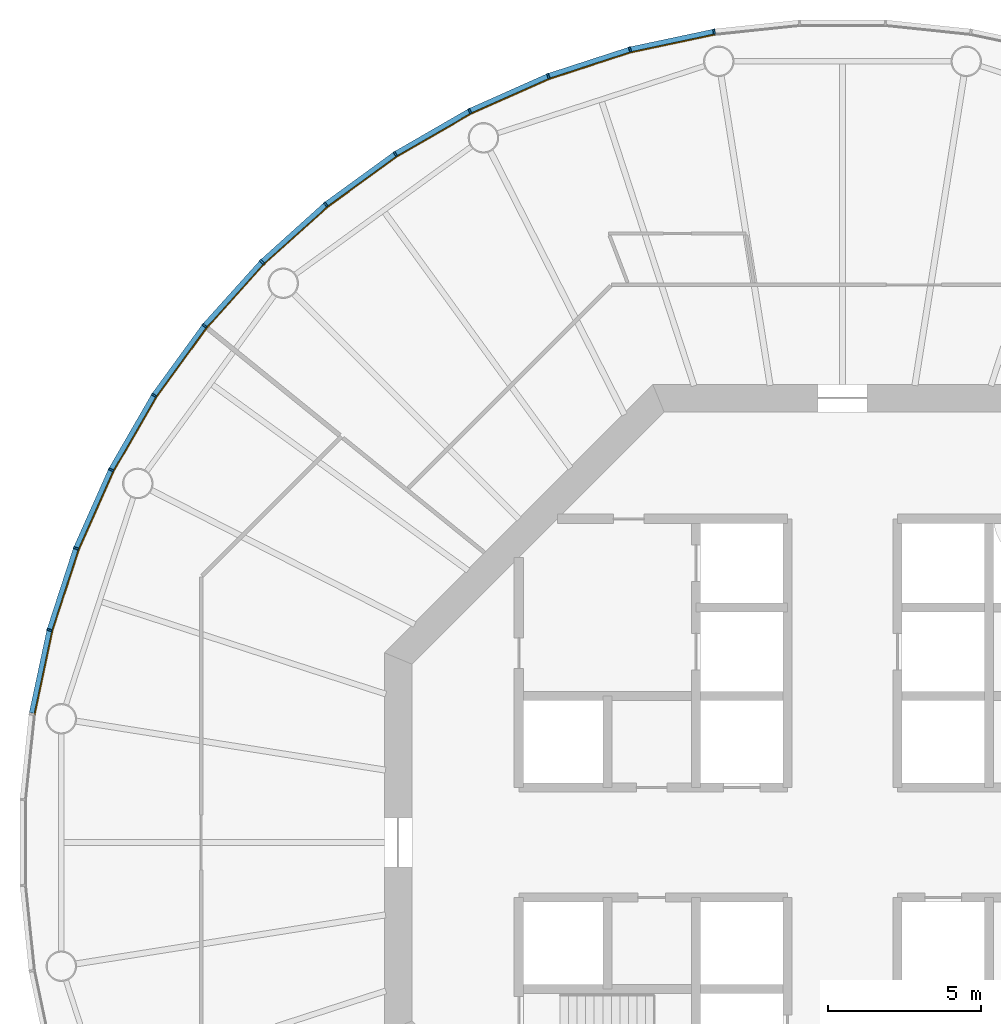
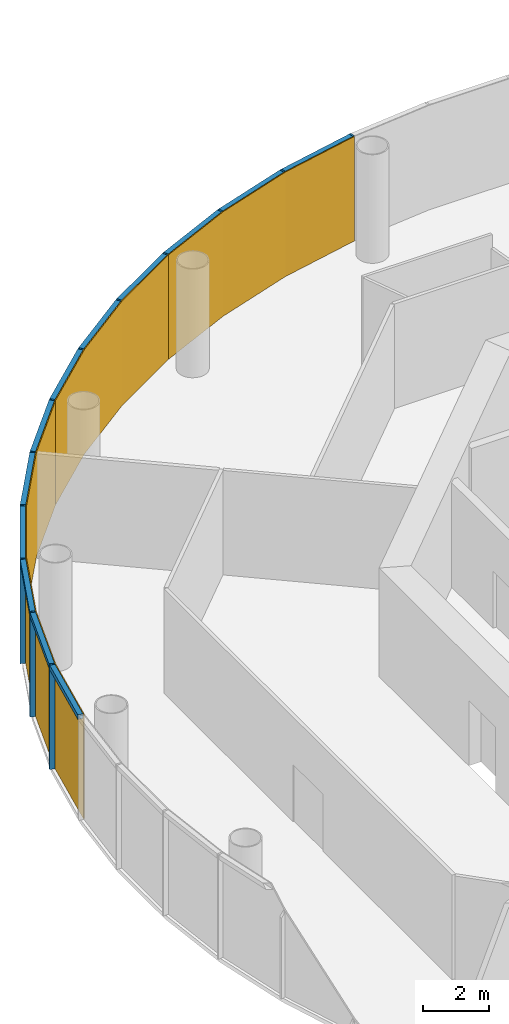
# One storey, part 9 of 12: 24 members, 4 curtain walls.
"""IFC4 building model written with IfcOpenShell, lengths in metres."""

from ifc_helpers import new_model, si_unit, direction, frame, origin, origin_2d, place, context, subcontext, project, spatial, polyline, rectangle, outline, extrude, material, layer, layer_set, material_profile, profile_set, type_object, element, aggregate, save


model = new_model("IFC4")

# Units and contexts
model_context = context("Model", 3, precision=1e-05, world=origin(), true_north=direction((0.0, 1.0)))
body_context = subcontext(model_context, "Body", "Model", "MODEL_VIEW")
ifc_project = project(units=[si_unit("LENGTHUNIT", "METRE"), si_unit("AREAUNIT", "SQUARE_METRE"), si_unit("VOLUMEUNIT", "CUBIC_METRE"), si_unit("PLANEANGLEUNIT", "RADIAN"), si_unit("MASSUNIT", "GRAM", prefix="KILO")], contexts=[model_context])

# Member
ifc_material_1 = material(Name="Anodised aluminium", Category="aluminium")
ifc_material_profile_1 = material_profile(ifc_material_1, rectangle(XDim=0.06005859375, YDim=0.169921875, at=origin_2d()), Name="Mullion 60 x 170 mm anodised aluminium")
ifc_profile_set_1 = profile_set([ifc_material_profile_1], Name="Anodised aluminium")
member_type_1 = type_object("IfcMemberType", Name="Mullion 60 x 170 mm anodised aluminium", PredefinedType="MULLION", material=ifc_profile_set_1)
site_placement = place(None, origin())
building_placement = place(site_placement, origin())
storey_placement = place(building_placement, frame((0.0, 0.0, 254.0)))
member_1_placement = place(storey_placement, frame((85.794189453125, 106.553955078125, 0.0), z_axis=(0.0, 0.0, 1.0), x_axis=(-0.987688340595, -0.15643446504, 0.0)))
member_1 = element("IfcMember", 1, at=member_1_placement, type_object=member_type_1, Name="MULLION L58-15", PredefinedType="MULLION", context=body_context, shape_type="SweptSolid", body=[
    extrude(rectangle(XDim=0.06005859375, YDim=0.169921875, at=origin_2d()), origin(), (0.0, 0.0, 1.0), 3.85009765625),
])

member_2_placement = place(storey_placement, frame((83.041748046875, 105.968994140625, 0.0), z_axis=(0.0, 0.0, 1.0), x_axis=(-0.965925826289, -0.258819045103, 0.0)))
member_2 = element("IfcMember", 2, at=member_2_placement, type_object=member_type_1, Name="MULLION L58-16", PredefinedType="MULLION", context=body_context, shape_type="SweptSolid", body=[
    extrude(rectangle(XDim=0.06005859375, YDim=0.169921875, at=origin_2d()), origin(), (0.0, 0.0, 1.0), 3.85009765625),
])

member_3_placement = place(storey_placement, frame((80.365234375, 105.099365234375, 0.0), z_axis=(0.0, 0.0, 1.0), x_axis=(-0.933580426497, -0.358367949545, 0.0)))
member_3 = element("IfcMember", 3, at=member_3_placement, type_object=member_type_1, Name="MULLION L58-17", PredefinedType="MULLION", context=body_context, shape_type="SweptSolid", body=[
    extrude(rectangle(XDim=0.06005859375, YDim=0.169921875, at=origin_2d()), origin(), (0.0, 0.0, 1.0), 3.85009765625),
])

member_4_placement = place(storey_placement, frame((77.79443359375, 103.95458984375, 0.0), z_axis=(0.0, 0.0, 1.0), x_axis=(-0.891006524188, -0.45399049974, 0.0)))
member_4 = element("IfcMember", 4, at=member_4_placement, type_object=member_type_1, Name="MULLION L58-18", PredefinedType="MULLION", context=body_context, shape_type="SweptSolid", body=[
    extrude(rectangle(XDim=0.06005859375, YDim=0.169921875, at=origin_2d()), origin(), (0.0, 0.0, 1.0), 3.85009765625),
])

member_5_placement = place(storey_placement, frame((75.357421875, 102.547607421875, 0.0), z_axis=(0.0, 0.0, 1.0), x_axis=(-0.838670567945, -0.544639035015, 0.0)))
member_5 = element("IfcMember", 5, at=member_5_placement, type_object=member_type_1, Name="MULLION L58-19", PredefinedType="MULLION", context=body_context, shape_type="SweptSolid", body=[
    extrude(rectangle(XDim=0.06005859375, YDim=0.169921875, at=origin_2d()), origin(), (0.0, 0.0, 1.0), 3.85009765625),
])

member_6_placement = place(storey_placement, frame((73.080810546875, 100.8935546875, 0.0), z_axis=(0.0, 0.0, 1.0), x_axis=(-0.777145961457, -0.62932039105, 0.0)))
member_6 = element("IfcMember", 6, at=member_6_placement, type_object=member_type_1, Name="MULLION L58-20", PredefinedType="MULLION", context=body_context, shape_type="SweptSolid", body=[
    extrude(rectangle(XDim=0.06005859375, YDim=0.169921875, at=origin_2d()), origin(), (0.0, 0.0, 1.0), 3.85009765625),
])

member_7_placement = place(storey_placement, frame((70.989501953125, 99.010498046875, 0.0), z_axis=(0.0, 0.0, 1.0), x_axis=(-0.707106781187, -0.707106781187, 0.0)))
member_7 = element("IfcMember", 7, at=member_7_placement, type_object=member_type_1, Name="MULLION L58-21", PredefinedType="MULLION", context=body_context, shape_type="SweptSolid", body=[
    extrude(rectangle(XDim=0.06005859375, YDim=0.169921875, at=origin_2d()), origin(), (0.0, 0.0, 1.0), 3.85009765625),
])

member_8_placement = place(storey_placement, frame((69.1064453125, 96.919189453125, 0.0), z_axis=(0.0, 0.0, 1.0), x_axis=(-0.62932039105, -0.777145961457, 0.0)))
member_8 = element("IfcMember", 8, at=member_8_placement, type_object=member_type_1, Name="MULLION L58-22", PredefinedType="MULLION", context=body_context, shape_type="SweptSolid", body=[
    extrude(rectangle(XDim=0.06005859375, YDim=0.169921875, at=origin_2d()), origin(), (0.0, 0.0, 1.0), 3.85009765625),
])

member_9_placement = place(storey_placement, frame((67.452392578125, 94.642578125, 0.0), z_axis=(0.0, 0.0, 1.0), x_axis=(-0.544639035015, -0.838670567945, 0.0)))
member_9 = element("IfcMember", 9, at=member_9_placement, type_object=member_type_1, Name="MULLION L58-23", PredefinedType="MULLION", context=body_context, shape_type="SweptSolid", body=[
    extrude(rectangle(XDim=0.06005859375, YDim=0.169921875, at=origin_2d()), origin(), (0.0, 0.0, 1.0), 3.85009765625),
])

member_10_placement = place(storey_placement, frame((66.04541015625, 92.20556640625, 0.0), z_axis=(0.0, 0.0, 1.0), x_axis=(-0.45399049974, -0.891006524188, 0.0)))
member_10 = element("IfcMember", 10, at=member_10_placement, type_object=member_type_1, Name="MULLION L58-24", PredefinedType="MULLION", context=body_context, shape_type="SweptSolid", body=[
    extrude(rectangle(XDim=0.06005859375, YDim=0.169921875, at=origin_2d()), origin(), (0.0, 0.0, 1.0), 3.85009765625),
])

member_11_placement = place(storey_placement, frame((64.900634765625, 89.634765625, 0.0), z_axis=(0.0, 0.0, 1.0), x_axis=(-0.358367949545, -0.933580426497, 0.0)))
member_11 = element("IfcMember", 11, at=member_11_placement, type_object=member_type_1, Name="MULLION L58-25", PredefinedType="MULLION", context=body_context, shape_type="SweptSolid", body=[
    extrude(rectangle(XDim=0.06005859375, YDim=0.169921875, at=origin_2d()), origin(), (0.0, 0.0, 1.0), 3.85009765625),
])

member_12_placement = place(storey_placement, frame((64.031005859375, 86.958251953125, 0.0), z_axis=(0.0, 0.0, 1.0), x_axis=(-0.258819045103, -0.965925826289, 0.0)))
member_12 = element("IfcMember", 12, at=member_12_placement, type_object=member_type_1, Name="MULLION L58-26", PredefinedType="MULLION", context=body_context, shape_type="SweptSolid", body=[
    extrude(rectangle(XDim=0.06005859375, YDim=0.169921875, at=origin_2d()), origin(), (0.0, 0.0, 1.0), 3.85009765625),
])

ifc_material_2 = material(Name="Anodised aluminium", Category="aluminium")
ifc_material_profile_2 = material_profile(ifc_material_2, rectangle(XDim=0.169921875, YDim=0.1650390625, at=origin_2d()), Name="Transom 165 x 170 mm anodised aluminium")
ifc_profile_set_2 = profile_set([ifc_material_profile_2], Name="Anodised aluminium")
member_type_2 = type_object("IfcMemberType", Name="Transom 165 x 170 mm anodised aluminium", PredefinedType="USERDEFINED", material=ifc_profile_set_2)
member_13_placement = place(storey_placement, frame((85.760498046875, 106.546875, 3.767578125), z_axis=(-0.97814212115, -0.207937468562, 0.0), x_axis=(0.207937468562, -0.97814212115, 0.0)))
member_13 = element("IfcMember", 13, at=member_13_placement, type_object=member_type_2, Name="TRANSOM L58-15", ObjectType="TRANSOM", PredefinedType="USERDEFINED", context=body_context, shape_type="SweptSolid", body=[
    extrude(rectangle(XDim=0.169921875, YDim=0.1650390625, at=origin_2d()), origin(), (0.0, 0.0, 1.0), 2.7451171875),
])

member_14_placement = place(storey_placement, frame((83.0087890625, 105.95849609375, 3.767578125), z_axis=(-0.951048445774, -0.309041831781, 0.0), x_axis=(0.309041831781, -0.951048445774, 0.0)))
member_14 = element("IfcMember", 14, at=member_14_placement, type_object=member_type_2, Name="TRANSOM L58-16", ObjectType="TRANSOM", PredefinedType="USERDEFINED", context=body_context, shape_type="SweptSolid", body=[
    extrude(rectangle(XDim=0.169921875, YDim=0.1650390625, at=origin_2d()), origin(), (0.0, 0.0, 1.0), 2.7451171875),
])

member_15_placement = place(storey_placement, frame((80.333740234375, 105.08544921875, 3.767578125), z_axis=(-0.913525267704, -0.406781987391, 0.0), x_axis=(0.406781987391, -0.913525267704, 0.0)))
member_15 = element("IfcMember", 15, at=member_15_placement, type_object=member_type_2, Name="TRANSOM L58-17", ObjectType="TRANSOM", PredefinedType="USERDEFINED", context=body_context, shape_type="SweptSolid", body=[
    extrude(rectangle(XDim=0.169921875, YDim=0.1650390625, at=origin_2d()), origin(), (0.0, 0.0, 1.0), 2.7451171875),
])

member_16_placement = place(storey_placement, frame((77.7646484375, 103.9375, 3.767578125), z_axis=(-0.866034527326, -0.49998419723, 0.0), x_axis=(0.49998419723, -0.866034527326, 0.0)))
member_16 = element("IfcMember", 16, at=member_16_placement, type_object=member_type_2, Name="TRANSOM L58-18", ObjectType="TRANSOM", PredefinedType="USERDEFINED", context=body_context, shape_type="SweptSolid", body=[
    extrude(rectangle(XDim=0.169921875, YDim=0.1650390625, at=origin_2d()), origin(), (0.0, 0.0, 1.0), 2.7451171875),
])

member_17_placement = place(storey_placement, frame((75.329345703125, 102.527587890625, 3.767578125), z_axis=(-0.808959086484, -0.587864947412, 0.0), x_axis=(0.587864947412, -0.808959086484, 0.0)))
member_17 = element("IfcMember", 17, at=member_17_placement, type_object=member_type_2, Name="TRANSOM L58-19", ObjectType="TRANSOM", PredefinedType="USERDEFINED", context=body_context, shape_type="SweptSolid", body=[
    extrude(rectangle(XDim=0.169921875, YDim=0.1650390625, at=origin_2d()), origin(), (0.0, 0.0, 1.0), 2.7451171875),
])

member_18_placement = place(storey_placement, frame((73.054931640625, 100.87060546875, 3.767578125), z_axis=(-0.743134927907, -0.669141598561, 0.0), x_axis=(0.669141598561, -0.743134927907, 0.0)))
member_18 = element("IfcMember", 18, at=member_18_placement, type_object=member_type_2, Name="TRANSOM L58-20", ObjectType="TRANSOM", PredefinedType="USERDEFINED", context=body_context, shape_type="SweptSolid", body=[
    extrude(rectangle(XDim=0.169921875, YDim=0.1650390625, at=origin_2d()), origin(), (0.0, 0.0, 1.0), 2.7451171875),
])

member_19_placement = place(storey_placement, frame((70.96630859375, 98.985107421875, 3.767578125), z_axis=(-0.669141598561, -0.743134927907, 0.0), x_axis=(0.743134927907, -0.669141598561, 0.0)))
member_19 = element("IfcMember", 19, at=member_19_placement, type_object=member_type_2, Name="TRANSOM L58-21", ObjectType="TRANSOM", PredefinedType="USERDEFINED", context=body_context, shape_type="SweptSolid", body=[
    extrude(rectangle(XDim=0.169921875, YDim=0.1650390625, at=origin_2d()), origin(), (0.0, 0.0, 1.0), 2.7451171875),
])

member_20_placement = place(storey_placement, frame((69.086181640625, 96.891357421875, 3.767578125), z_axis=(-0.587864947412, -0.808959086484, 0.0), x_axis=(0.808959086484, -0.587864947412, 0.0)))
member_20 = element("IfcMember", 20, at=member_20_placement, type_object=member_type_2, Name="TRANSOM L58-22", ObjectType="TRANSOM", PredefinedType="USERDEFINED", context=body_context, shape_type="SweptSolid", body=[
    extrude(rectangle(XDim=0.169921875, YDim=0.1650390625, at=origin_2d()), origin(), (0.0, 0.0, 1.0), 2.7451171875),
])

member_21_placement = place(storey_placement, frame((67.43505859375, 94.61279296875, 3.767578125), z_axis=(-0.49998419723, -0.866034527326, 0.0), x_axis=(0.866034527326, -0.49998419723, 0.0)))
member_21 = element("IfcMember", 21, at=member_21_placement, type_object=member_type_2, Name="TRANSOM L58-23", ObjectType="TRANSOM", PredefinedType="USERDEFINED", context=body_context, shape_type="SweptSolid", body=[
    extrude(rectangle(XDim=0.169921875, YDim=0.1650390625, at=origin_2d()), origin(), (0.0, 0.0, 1.0), 2.7451171875),
])

member_22_placement = place(storey_placement, frame((66.03125, 92.174072265625, 3.767578125), z_axis=(-0.406781987391, -0.913525267704, 0.0), x_axis=(0.913525267704, -0.406781987391, 0.0)))
member_22 = element("IfcMember", 22, at=member_22_placement, type_object=member_type_2, Name="TRANSOM L58-24", ObjectType="TRANSOM", PredefinedType="USERDEFINED", context=body_context, shape_type="SweptSolid", body=[
    extrude(rectangle(XDim=0.169921875, YDim=0.1650390625, at=origin_2d()), origin(), (0.0, 0.0, 1.0), 2.7451171875),
])

member_23_placement = place(storey_placement, frame((64.889892578125, 89.60205078125, 3.767578125), z_axis=(-0.309041831781, -0.951048445774, 0.0), x_axis=(0.951048445774, -0.309041831781, 0.0)))
member_23 = element("IfcMember", 23, at=member_23_placement, type_object=member_type_2, Name="TRANSOM L58-25", ObjectType="TRANSOM", PredefinedType="USERDEFINED", context=body_context, shape_type="SweptSolid", body=[
    extrude(rectangle(XDim=0.169921875, YDim=0.1650390625, at=origin_2d()), origin(), (0.0, 0.0, 1.0), 2.7451171875),
])

member_24_placement = place(storey_placement, frame((64.02392578125, 86.924560546875, 3.767578125), z_axis=(-0.207937468562, -0.97814212115, 0.0), x_axis=(0.97814212115, -0.207937468562, 0.0)))
member_24 = element("IfcMember", 24, at=member_24_placement, type_object=member_type_2, Name="TRANSOM L58-26", ObjectType="TRANSOM", PredefinedType="USERDEFINED", context=body_context, shape_type="SweptSolid", body=[
    extrude(rectangle(XDim=0.169921875, YDim=0.1650390625, at=origin_2d()), origin(), (0.0, 0.0, 1.0), 2.7451171875),
])

# Site, building, storey
site = spatial("IfcSite", under=ifc_project, at=site_placement, CompositionType="ELEMENT")
building = spatial("IfcBuilding", under=site, at=building_placement, Name="Entoto Ring Tower", CompositionType="ELEMENT")
storey = spatial("IfcBuildingStorey", under=building, at=storey_placement, Name="L58", CompositionType="ELEMENT", Elevation=254.0)

# Curtain wall
ifc_material_3 = material(Name="Clear low-iron glass", Category="glass")
ifc_layer = layer(ifc_material_3, 0.031982421875)
ifc_layer_set = layer_set([ifc_layer], Name="Clear low-iron glass")
curtain_wall_type = type_object("IfcCurtainWallType", Name="Curtain wall system CW4 glazing 32 mm", PredefinedType="NOTDEFINED", material=ifc_layer_set)
curtain_wall_1_placement = place(storey_placement, origin())
curtain_wall_1 = element("IfcCurtainWall", 25, at=curtain_wall_1_placement, inside=storey, type_object=curtain_wall_type, Name="CW4 L58-06", PredefinedType="NOTDEFINED", context=body_context, shape_type="SweptSolid", body=[
    extrude(outline(polyline([(85.8076171875, 106.469970703125), (83.063720703125, 105.88671875), (80.395751953125, 105.02001953125), (77.8330078125, 103.87890625), (77.84765625, 103.850341796875), (80.4072265625, 104.989990234375), (83.072021484375, 105.85595703125), (85.8125, 106.4384765625), (85.8076171875, 106.469970703125)])), origin(), (0.0, 0.0, 1.0), 3.85009765625),
])

aggregate(curtain_wall_1, [member_1, member_2, member_3, member_13, member_14, member_15])

curtain_wall_2_placement = place(storey_placement, origin())
curtain_wall_2 = element("IfcCurtainWall", 26, at=curtain_wall_2_placement, inside=storey, type_object=curtain_wall_type, Name="CW4 L58-07", PredefinedType="NOTDEFINED", context=body_context, shape_type="SweptSolid", body=[
    extrude(outline(polyline([(77.8330078125, 103.87890625), (75.403564453125, 102.476318359375), (73.13427734375, 100.827392578125), (71.049560546875, 98.950439453125), (71.072265625, 98.927734375), (73.154296875, 100.802490234375), (75.421142578125, 102.449462890625), (77.84765625, 103.850341796875), (77.8330078125, 103.87890625)])), origin(), (0.0, 0.0, 1.0), 3.85009765625),
])

aggregate(curtain_wall_2, [member_4, member_5, member_6, member_16, member_17, member_18])

curtain_wall_3_placement = place(storey_placement, origin())
curtain_wall_3 = element("IfcCurtainWall", 27, at=curtain_wall_3_placement, inside=storey, type_object=curtain_wall_type, Name="CW4 L58-08", PredefinedType="NOTDEFINED", context=body_context, shape_type="SweptSolid", body=[
    extrude(outline(polyline([(71.049560546875, 98.950439453125), (69.172607421875, 96.86572265625), (67.523681640625, 94.596435546875), (66.12109375, 92.1669921875), (66.149658203125, 92.15234375), (67.550537109375, 94.578857421875), (69.197509765625, 96.845703125), (71.072265625, 98.927734375), (71.049560546875, 98.950439453125)])), origin(), (0.0, 0.0, 1.0), 3.85009765625),
])

aggregate(curtain_wall_3, [member_7, member_8, member_9, member_19, member_20, member_21])

curtain_wall_4_placement = place(storey_placement, origin())
curtain_wall_4 = element("IfcCurtainWall", 28, at=curtain_wall_4_placement, inside=storey, type_object=curtain_wall_type, Name="CW4 L58-09", PredefinedType="NOTDEFINED", context=body_context, shape_type="SweptSolid", body=[
    extrude(outline(polyline([(66.12109375, 92.1669921875), (64.97998046875, 89.604248046875), (64.11328125, 86.936279296875), (63.530029296875, 84.1923828125), (63.5615234375, 84.1875), (64.14404296875, 86.927978515625), (65.010009765625, 89.5927734375), (66.149658203125, 92.15234375), (66.12109375, 92.1669921875)])), origin(), (0.0, 0.0, 1.0), 3.85009765625),
])

aggregate(curtain_wall_4, [member_10, member_11, member_12, member_22, member_23, member_24])

save(model, "model.ifc")
